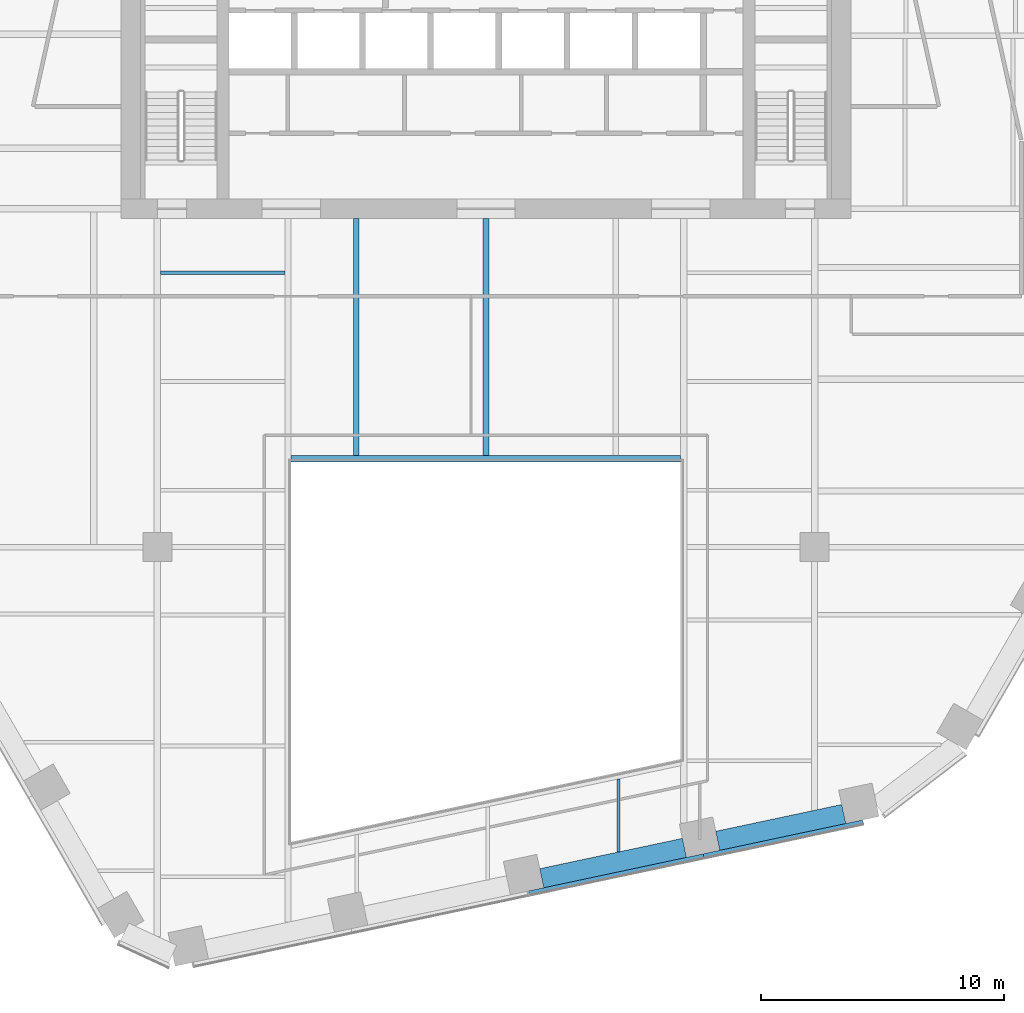
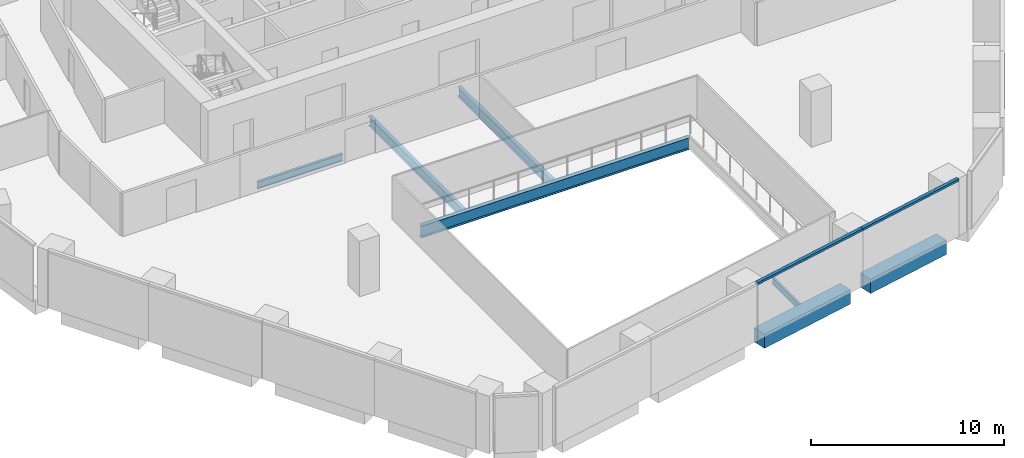
# One storey, part 4 of 16: 7 beams, 2 members, 1 element without a shape of its own.
"""IFC4 building model written with IfcOpenShell, lengths in metres."""

from ifc_helpers import new_model, si_unit, direction, frame, origin, origin_2d, place, context, subcontext, project, spatial, rectangle, i_section, extrude, material, layer, layer_set, material_profile, profile_set, type_object, element, aggregate, save


model = new_model("IFC4")

# Units and contexts
model_context = context("Model", 3, precision=1e-05, world=origin(), true_north=direction((0.0, 1.0)))
body_context = subcontext(model_context, "Body", "Model", "MODEL_VIEW")
ifc_project = project(units=[si_unit("LENGTHUNIT", "METRE"), si_unit("AREAUNIT", "SQUARE_METRE"), si_unit("VOLUMEUNIT", "CUBIC_METRE"), si_unit("PLANEANGLEUNIT", "RADIAN"), si_unit("MASSUNIT", "GRAM", prefix="KILO")], contexts=[model_context])

# Site, building, storey
site_placement = place(None, origin())
site = spatial("IfcSite", under=ifc_project, at=site_placement, CompositionType="ELEMENT")
building_placement = place(site_placement, origin())
building = spatial("IfcBuilding", under=site, at=building_placement, Name="Isthmus Gate Tower", CompositionType="ELEMENT")
storey_placement = place(building_placement, frame((0.0, 0.0, 137.10009765625)))
storey = spatial("IfcBuildingStorey", under=building, at=storey_placement, Name="L33", CompositionType="ELEMENT", Elevation=137.10009765625)

# Curtain wall, members
ifc_material_1 = material(Name="Aluminium, pale champagne anodised", Category="aluminium")
ifc_layer = layer(ifc_material_1, 0.199951171875)
ifc_layer_set = layer_set([ifc_layer], Name="CW-1 UNITISED CURTAIN WALL 200 DEEP")
curtain_wall_type = type_object("IfcCurtainWallType", Name="CW-1 UNITISED CURTAIN WALL 200 DEEP", PredefinedType="NOTDEFINED", material=ifc_layer_set)
curtain_wall_placement = place(storey_placement, origin())
curtain_wall = element("IfcCurtainWall", 1, at=curtain_wall_placement, inside=storey, type_object=curtain_wall_type, Name="CW-1 S L33", PredefinedType="NOTDEFINED")
ifc_material_2 = material(Name="Aluminium, pale champagne anodised", Category="aluminium")
ifc_material_profile_1 = material_profile(ifc_material_2, rectangle(XDim=0.199951171875, YDim=0.139892578125, at=origin_2d()), Name="200x140")
ifc_profile_set_1 = profile_set([ifc_material_profile_1], Name="Aluminium, pale champagne anodised")
member_type = type_object("IfcMemberType", Name="CW-1 TRANSOM 200 X 140", PredefinedType="USERDEFINED", material=ifc_profile_set_1)
member_1_placement = place(storey_placement, frame((1.76953125, -27.72607421875, 3.579833984375), z_axis=(0.978146152746, 0.207918502948, 0.0), x_axis=(-0.207918502948, 0.978146152746, 0.0)))
member_1 = element("IfcMember", 2, at=member_1_placement, type_object=member_type, Name="CW-1 transom", ObjectType="TRANSOM", PredefinedType="USERDEFINED", context=body_context, shape_type="SweptSolid", body=[
    extrude(rectangle(XDim=0.199951171875, YDim=0.139892578125, at=origin_2d()), origin(), (0.0, 0.0, 1.0), 7.33056640625),
])
member_2_placement = place(storey_placement, frame((8.93994140625, -26.201904296875, 3.579833984375), z_axis=(0.978147628551, 0.207911559946, 0.0), x_axis=(-0.207911559946, 0.978147628551, 0.0)))
member_2 = element("IfcMember", 3, at=member_2_placement, type_object=member_type, Name="CW-1 transom", ObjectType="TRANSOM", PredefinedType="USERDEFINED", context=body_context, shape_type="SweptSolid", body=[
    extrude(rectangle(XDim=0.199951171875, YDim=0.139892578125, at=origin_2d()), origin(), (0.0, 0.0, 1.0), 6.69091796875),
])
aggregate(curtain_wall, [member_1, member_2])

# Beams
ifc_material_3 = material(Name="Concrete f'c 60 MPa", Category="concrete")
ifc_material_profile_2 = material_profile(ifc_material_3, rectangle(XDim=0.800048828125, YDim=0.89990234375, at=origin_2d()), Name="RC 800X900")
ifc_profile_set_2 = profile_set([ifc_material_profile_2], Name="Concrete f'c 60 MPa")
beam_type_1 = type_object("IfcBeamType", Name="RC SPANDREL 800 X 900", PredefinedType="SPANDREL", material=ifc_profile_set_2)
beam_1_placement = place(storey_placement, frame((14.696044921875, -24.46728515625, -0.4501953125), z_axis=(-0.978145479826, -0.207921668653, 0.0), x_axis=(0.207921668653, -0.978145479826, 0.0)))
element("IfcBeam", 4, at=beam_1_placement, inside=storey, type_object=beam_type_1, Name="str-spandrel-L33-11", PredefinedType="SPANDREL", context=body_context, shape_type="SweptSolid", body=[
    extrude(rectangle(XDim=0.800048828125, YDim=0.89990234375, at=origin_2d()), origin(), (0.0, 0.0, 1.0), 5.291015625),
])
beam_2_placement = place(storey_placement, frame((8.1513671875, -25.8583984375, -0.4501953125), z_axis=(-0.978145798872, -0.20792016773, 0.0), x_axis=(0.20792016773, -0.978145798872, 0.0)))
element("IfcBeam", 5, at=beam_2_placement, inside=storey, type_object=beam_type_1, Name="str-spandrel-L33-12", PredefinedType="SPANDREL", context=body_context, shape_type="SweptSolid", body=[
    extrude(rectangle(XDim=0.800048828125, YDim=0.89990234375, at=origin_2d()), origin(), (0.0, 0.0, 1.0), 5.99072265625),
])
ifc_material_4 = material(Name="Structural steel ASTM A992 Gr 50", Category="steel")
ifc_material_profile_3 = material_profile(ifc_material_4, i_section(OverallWidth=0.1396484375, OverallDepth=0.4033203125, WebThickness=0.00634765625, FlangeThickness=0.010986328125, at=origin_2d()), Name="W16X31")
ifc_profile_set_3 = profile_set([ifc_material_profile_3], Name="Structural steel ASTM A992 Gr 50")
beam_type_2 = type_object("IfcBeamType", Name="STEEL FLOOR BEAM W16X31", PredefinedType="JOIST", material=ifc_profile_set_3)
beam_3_placement = place(storey_placement, frame((5.443115234375, -26.025146484375, -0.351806640625), z_axis=(0.0, 1.0, 0.0), x_axis=(-1.0, 0.0, 0.0)))
element("IfcBeam", 6, at=beam_3_placement, inside=storey, type_object=beam_type_2, Name="str-beam-L33-07-02", PredefinedType="JOIST", context=body_context, shape_type="SweptSolid", body=[
    extrude(i_section(OverallWidth=0.1396484375, OverallDepth=0.4033203125, WebThickness=0.00634765625, FlangeThickness=0.010986328125, at=origin_2d()), origin(), (0.0, 0.0, 1.0), 2.998779296875),
])
ifc_material_5 = material(Name="Structural steel ASTM A992 Gr 50", Category="steel")
ifc_material_profile_4 = material_profile(ifc_material_5, i_section(OverallWidth=0.15234375, OverallDepth=0.45068359375, WebThickness=0.0078125, FlangeThickness=0.010986328125, at=origin_2d()), Name="W18X35")
ifc_profile_set_4 = profile_set([ifc_material_profile_4], Name="Structural steel ASTM A992 Gr 50")
beam_type_3 = type_object("IfcBeamType", Name="STEEL FLOOR BEAM W18X35", PredefinedType="JOIST", material=ifc_profile_set_4)
beam_4_placement = place(storey_placement, frame((-13.3681640625, -2.232421875, -0.37548828125), z_axis=(1.0, 0.0, 0.0), x_axis=(0.0, 1.0, 0.0)))
element("IfcBeam", 7, at=beam_4_placement, inside=storey, type_object=beam_type_3, Name="str-beam-L33-04-02", PredefinedType="JOIST", context=body_context, shape_type="SweptSolid", body=[
    extrude(i_section(OverallWidth=0.15234375, OverallDepth=0.45068359375, WebThickness=0.0078125, FlangeThickness=0.010986328125, at=origin_2d()), origin(), (0.0, 0.0, 1.0), 5.1015625),
])
ifc_material_6 = material(Name="Structural steel ASTM A992 Gr 50", Category="steel")
ifc_material_profile_5 = material_profile(ifc_material_6, i_section(OverallWidth=0.228515625, OverallDepth=0.603271484375, WebThickness=0.010986328125, FlangeThickness=0.014404296875, at=origin_2d()), Name="W24X68")
ifc_profile_set_5 = profile_set([ifc_material_profile_5], Name="Structural steel ASTM A992 Gr 50")
beam_type_4 = type_object("IfcBeamType", Name="STEEL FLOOR BEAM W24X68", PredefinedType="JOIST", material=ifc_profile_set_5)
for number, where, z_axis, x_axis, name in (
    (8, (-5.333251953125, -9.7333984375, -0.45166015625), (0.0, 1.0, 0.0), (-1.0, 0.0, 0.0), "str-beam-L33-06-00"),
    (9, (0.0, -9.7333984375, -0.45166015625), (0.0, 1.0, 0.0), (-1.0, 0.0, 0.0), "str-beam-L33-06-01"),
):
    element("IfcBeam", number, at=place(storey_placement, frame(where, z_axis=z_axis, x_axis=x_axis)), inside=storey, type_object=beam_type_4, Name=name, PredefinedType="JOIST", context=body_context, shape_type="SweptSolid", body=[
        extrude(i_section(OverallWidth=0.228515625, OverallDepth=0.603271484375, WebThickness=0.010986328125, FlangeThickness=0.014404296875, at=origin_2d()), origin(), (0.0, 0.0, 1.0), 9.7333984375),
    ])
ifc_material_7 = material(Name="Structural steel ASTM A992 Gr 50", Category="steel")
ifc_material_profile_6 = material_profile(ifc_material_7, i_section(OverallWidth=0.2666015625, OverallDepth=0.7587890625, WebThickness=0.014404296875, FlangeThickness=0.01904296875, at=origin_2d()), Name="W30X108")
ifc_profile_set_6 = profile_set([ifc_material_profile_6], Name="Structural steel ASTM A992 Gr 50")
beam_type_5 = type_object("IfcBeamType", Name="STEEL TRIMMER W30X108", PredefinedType="BEAM", material=ifc_profile_set_6)
beam_5_placement = place(storey_placement, frame((8.0, -9.86669921875, -0.529541015625), z_axis=(-1.0, 0.0, 0.0), x_axis=(0.0, -1.0, 0.0)))
element("IfcBeam", 10, at=beam_5_placement, inside=storey, type_object=beam_type_5, Name="str-trimmer-L33-04", PredefinedType="BEAM", context=body_context, shape_type="SweptSolid", body=[
    extrude(i_section(OverallWidth=0.2666015625, OverallDepth=0.7587890625, WebThickness=0.014404296875, FlangeThickness=0.01904296875, at=origin_2d()), origin(), (0.0, 0.0, 1.0), 16.0),
])

save(model, "model.ifc")
